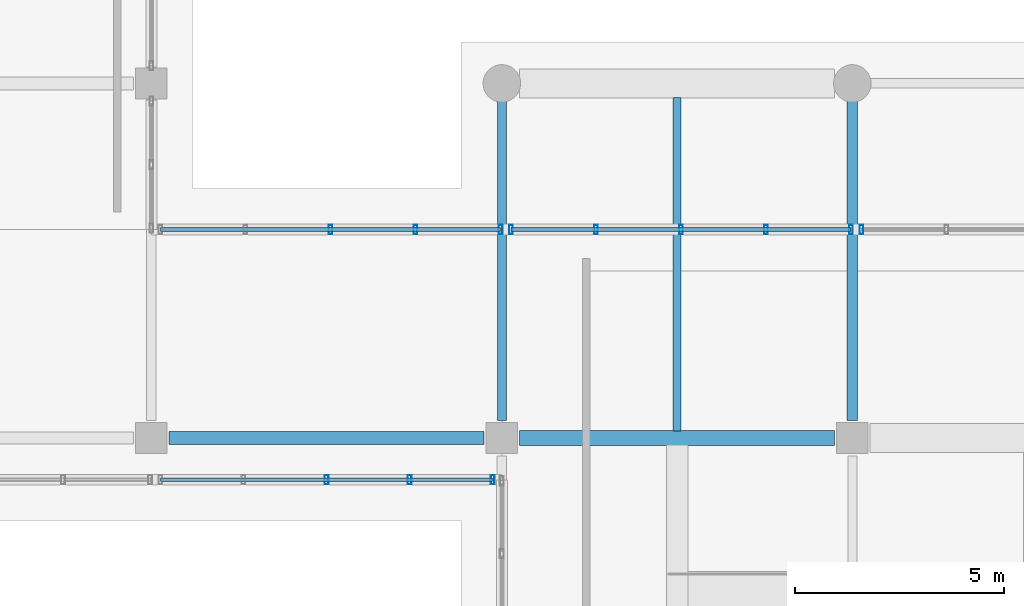
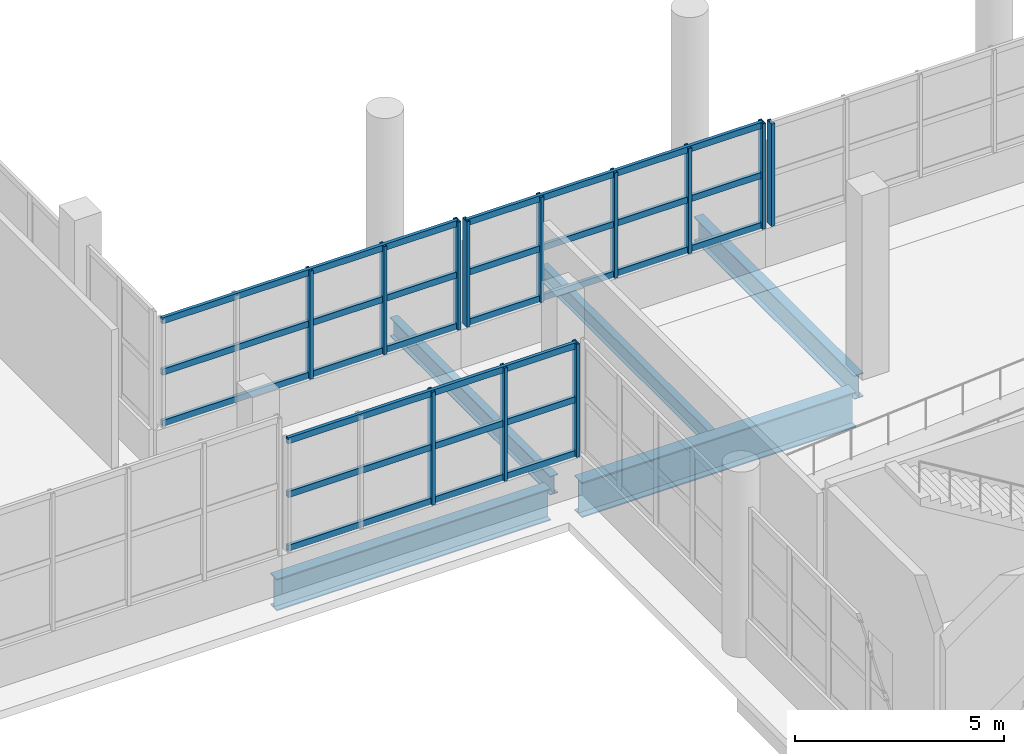
# One storey, part 45 of 107: 21 members, 5 beams, 4 elements without a shape of their own.
"""IFC4 building model written with IfcOpenShell, lengths in metres."""

from ifc_helpers import new_model, si_unit, direction, frame, origin, origin_2d, place, context, subcontext, project, spatial, hollow_rectangle, i_section, extrude, material, material_profile, profile_set, type_object, element, aggregate, save


model = new_model("IFC4")

# Units and contexts
model_context = context("Model", 3, precision=1e-05, world=origin(), true_north=direction((0.0, 1.0)))
body_context = subcontext(model_context, "Body", "Model", "MODEL_VIEW")
ifc_project = project(units=[si_unit("LENGTHUNIT", "METRE"), si_unit("AREAUNIT", "SQUARE_METRE"), si_unit("VOLUMEUNIT", "CUBIC_METRE"), si_unit("PLANEANGLEUNIT", "RADIAN"), si_unit("MASSUNIT", "GRAM", prefix="KILO")], contexts=[model_context])

# Site, building, storey
site_placement = place(None, origin())
site = spatial("IfcSite", under=ifc_project, at=site_placement, CompositionType="ELEMENT")
building_placement = place(site_placement, origin())
building = spatial("IfcBuilding", under=site, at=building_placement, Name="Solvento Point Concert Hall", CompositionType="ELEMENT")
storey_placement = place(building_placement, origin())
storey = spatial("IfcBuildingStorey", under=building, at=storey_placement, Name="L00", CompositionType="ELEMENT", Elevation=0.0)

# Beams
ifc_material_1 = material(Name="Structural Steel ASTM A992 Grade 50", Category="steel")
ifc_material_profile_1 = material_profile(ifc_material_1, i_section(OverallWidth=0.214111328125, OverallDepth=0.549072265625, WebThickness=0.0146484375, FlangeThickness=0.023681640625, at=origin_2d()), Name="W21X93")
ifc_profile_set_1 = profile_set([ifc_material_profile_1], Name="Structural Steel ASTM A992 Grade 50")
beam_type_1 = type_object("IfcBeamType", Name="Beam_W21X93", PredefinedType="BEAM", material=ifc_profile_set_1)
beam_1_placement = place(storey_placement, frame((150.0, 17.424072265625, -0.6884765625), z_axis=(0.0, 1.0, 0.0), x_axis=(-1.0, 0.0, 0.0)))
element("IfcBeam", 1, at=beam_1_placement, inside=storey, type_object=beam_type_1, Name="Primary girder B-48 L00", PredefinedType="BEAM", context=body_context, shape_type="SweptSolid", body=[
    extrude(i_section(OverallWidth=0.214111328125, OverallDepth=0.549072265625, WebThickness=0.0146484375, FlangeThickness=0.023681640625, at=origin_2d()), origin(), (0.0, 0.0, 1.0), 7.65185546875),
])
ifc_material_2 = material(Name="Structural Steel ASTM A992 Grade 50", Category="steel")
ifc_material_profile_2 = material_profile(ifc_material_2, i_section(OverallWidth=0.256103515625, OverallDepth=0.693115234375, WebThickness=0.014404296875, FlangeThickness=0.023681640625, at=origin_2d()), Name="W27X114")
ifc_profile_set_2 = profile_set([ifc_material_profile_2], Name="Structural Steel ASTM A992 Grade 50")
beam_type_2 = type_object("IfcBeamType", Name="Girder_W27X114", PredefinedType="USERDEFINED", material=ifc_profile_set_2)
beam_2_placement = place(storey_placement, frame((158.39990234375, 17.424072265625, -0.760498046875), z_axis=(0.0, 1.0, 0.0), x_axis=(-1.0, 0.0, 0.0)))
element("IfcBeam", 2, at=beam_2_placement, inside=storey, type_object=beam_type_2, Name="Primary girder B-23 L00", ObjectType="GIRDER", PredefinedType="USERDEFINED", context=body_context, shape_type="SweptSolid", body=[
    extrude(i_section(OverallWidth=0.256103515625, OverallDepth=0.693115234375, WebThickness=0.014404296875, FlangeThickness=0.023681640625, at=origin_2d()), origin(), (0.0, 0.0, 1.0), 7.65185546875),
])
ifc_material_3 = material(Name="Structural Steel ASTM A992 Grade 50", Category="steel")
ifc_material_profile_3 = material_profile(ifc_material_3, i_section(OverallWidth=0.3076171875, OverallDepth=0.927001953125, WebThickness=0.019287109375, FlangeThickness=0.031982421875, at=origin_2d()), Name="W36X194")
ifc_profile_set_3 = profile_set([ifc_material_profile_3], Name="Structural Steel ASTM A992 Grade 50")
beam_type_3 = type_object("IfcBeamType", Name="Girder_W36X194", PredefinedType="USERDEFINED", material=ifc_profile_set_3)
beam_3_placement = place(storey_placement, frame((142.02392578125, 17.0, -0.767578125), z_axis=(1.0, 0.0, 0.0), x_axis=(0.0, 1.0, 0.0)))
element("IfcBeam", 3, at=beam_3_placement, inside=storey, type_object=beam_type_3, Name="Primary girder B-61 L00", ObjectType="GIRDER", PredefinedType="USERDEFINED", context=body_context, shape_type="SweptSolid", body=[
    extrude(i_section(OverallWidth=0.3076171875, OverallDepth=0.927001953125, WebThickness=0.019287109375, FlangeThickness=0.031982421875, at=origin_2d()), origin(), (0.0, 0.0, 1.0), 7.552001953125),
])
ifc_material_4 = material(Name="Structural Steel ASTM A992 Grade 50", Category="steel")
ifc_material_profile_4 = material_profile(ifc_material_4, i_section(OverallWidth=0.361083984375, OverallDepth=1.02587890625, WebThickness=0.01904296875, FlangeThickness=0.0361328125, at=origin_2d()), Name="W40X249")
ifc_profile_set_4 = profile_set([ifc_material_profile_4], Name="Structural Steel ASTM A992 Grade 50")
beam_type_4 = type_object("IfcBeamType", Name="Girder_W40X249", PredefinedType="USERDEFINED", material=ifc_profile_set_4)
beam_4_placement = place(storey_placement, frame((150.424072265625, 17.0, -0.927001953125), z_axis=(1.0, 0.0, 0.0), x_axis=(0.0, 1.0, 0.0)))
element("IfcBeam", 4, at=beam_4_placement, inside=storey, type_object=beam_type_4, Name="Primary girder B-29 L00", ObjectType="GIRDER", PredefinedType="USERDEFINED", context=body_context, shape_type="SweptSolid", body=[
    extrude(i_section(OverallWidth=0.361083984375, OverallDepth=1.02587890625, WebThickness=0.01904296875, FlangeThickness=0.0361328125, at=origin_2d()), origin(), (0.0, 0.0, 1.0), 7.552001953125),
])
ifc_material_5 = material(Name="Structural Steel ASTM A992 Grade 50", Category="steel")
ifc_material_profile_5 = material_profile(ifc_material_5, i_section(OverallWidth=0.1904296875, OverallDepth=0.45703125, WebThickness=0.009033203125, FlangeThickness=0.014404296875, at=origin_2d()), Name="W18X50")
ifc_profile_set_5 = profile_set([ifc_material_profile_5], Name="Structural Steel ASTM A992 Grade 50")
beam_type_5 = type_object("IfcBeamType", Name="Joist_W18X50", PredefinedType="JOIST", material=ifc_profile_set_5)
beam_5_placement = place(storey_placement, frame((154.199951171875, 17.16552734375, -0.642578125), z_axis=(0.0, 1.0, 0.0), x_axis=(-1.0, 0.0, 0.0)))
element("IfcBeam", 5, at=beam_5_placement, inside=storey, type_object=beam_type_5, Name="Secondary floor joist B-66 L00", PredefinedType="JOIST", context=body_context, shape_type="SweptSolid", body=[
    extrude(i_section(OverallWidth=0.1904296875, OverallDepth=0.45703125, WebThickness=0.009033203125, FlangeThickness=0.014404296875, at=origin_2d()), origin(), (0.0, 0.0, 1.0), 7.99951171875),
])

# Curtain wall, members
ifc_material_6 = material(Name="Anodized Bronze Aluminium", Category="aluminium")
curtain_wall_type = type_object("IfcCurtainWallType", Name="CurtainWall_CafeVeranda", PredefinedType="USERDEFINED", material=ifc_material_6)
curtain_wall_1_placement = place(storey_placement, origin())
curtain_wall_1 = element("IfcCurtainWall", 6, at=curtain_wall_1_placement, inside=storey, type_object=curtain_wall_type, Name="Unitised curtain wall CW-42 UCW-L00-038", ObjectType="UNITISED CURTAIN WALL", PredefinedType="USERDEFINED")
ifc_material_7 = material(Name="Anodized Bronze Aluminium", Category="aluminium")
ifc_material_profile_6 = material_profile(ifc_material_7, hollow_rectangle(XDim=0.090087890625, YDim=0.219970703125, WallThickness=0.00439453125, at=origin_2d()), Name="CW-MUL-90X220")
ifc_profile_set_6 = profile_set([ifc_material_profile_6], Name="Anodized Bronze Aluminium")
member_type_1 = type_object("IfcMemberType", Name="Mullion_90x220", PredefinedType="MULLION", material=ifc_profile_set_6)
member_1_placement = place(storey_placement, frame((145.89501953125, 22.0, 1.1201171875), z_axis=(0.0, 0.0, 1.0), x_axis=(1.0, 0.0, 0.0)))
member_1 = element("IfcMember", 7, at=member_1_placement, type_object=member_type_1, Name="Curtain wall mullion ML-02", PredefinedType="MULLION", context=body_context, shape_type="SweptSolid", body=[
    extrude(hollow_rectangle(XDim=0.090087890625, YDim=0.219970703125, WallThickness=0.00439453125, at=origin_2d()), origin(), (0.0, 0.0, 1.0), 3.15087890625),
])
member_2_placement = place(storey_placement, frame((147.9326171875, 22.0, 1.1201171875), z_axis=(0.0, 0.0, 1.0), x_axis=(1.0, 0.0, 0.0)))
member_2 = element("IfcMember", 8, at=member_2_placement, type_object=member_type_1, Name="Curtain wall mullion ML-02", PredefinedType="MULLION", context=body_context, shape_type="SweptSolid", body=[
    extrude(hollow_rectangle(XDim=0.090087890625, YDim=0.219970703125, WallThickness=0.00439453125, at=origin_2d()), origin(), (0.0, 0.0, 1.0), 3.15087890625),
])
member_3_placement = place(storey_placement, frame((149.969970703125, 22.0, 1.1201171875), z_axis=(0.0, 0.0, 1.0), x_axis=(1.0, 0.0, 0.0)))
member_3 = element("IfcMember", 9, at=member_3_placement, type_object=member_type_1, Name="Curtain wall mullion ML-02", PredefinedType="MULLION", context=body_context, shape_type="SweptSolid", body=[
    extrude(hollow_rectangle(XDim=0.090087890625, YDim=0.219970703125, WallThickness=0.00439453125, at=origin_2d()), origin(), (0.0, 0.0, 1.0), 3.15087890625),
])

curtain_wall_2_placement = place(storey_placement, origin())
curtain_wall_2 = element("IfcCurtainWall", 10, at=curtain_wall_2_placement, inside=storey, type_object=curtain_wall_type, Name="Unitised curtain wall CW-42 UCW-L00-039", ObjectType="UNITISED CURTAIN WALL", PredefinedType="USERDEFINED")
member_4_placement = place(storey_placement, frame((150.219970703125, 22.0, 1.1201171875), z_axis=(0.0, 0.0, 1.0), x_axis=(1.0, 0.0, 0.0)))
member_4 = element("IfcMember", 11, at=member_4_placement, type_object=member_type_1, Name="Curtain wall mullion ML-02", PredefinedType="MULLION", context=body_context, shape_type="SweptSolid", body=[
    extrude(hollow_rectangle(XDim=0.090087890625, YDim=0.219970703125, WallThickness=0.00439453125, at=origin_2d()), origin(), (0.0, 0.0, 1.0), 3.073974609375),
])
member_5_placement = place(storey_placement, frame((152.257568359375, 22.0, 1.1201171875), z_axis=(0.0, 0.0, 1.0), x_axis=(1.0, 0.0, 0.0)))
member_5 = element("IfcMember", 12, at=member_5_placement, type_object=member_type_1, Name="Curtain wall mullion ML-02", PredefinedType="MULLION", context=body_context, shape_type="SweptSolid", body=[
    extrude(hollow_rectangle(XDim=0.090087890625, YDim=0.219970703125, WallThickness=0.00439453125, at=origin_2d()), origin(), (0.0, 0.0, 1.0), 3.073974609375),
])
member_6_placement = place(storey_placement, frame((154.294921875, 22.0, 1.1201171875), z_axis=(0.0, 0.0, 1.0), x_axis=(1.0, 0.0, 0.0)))
member_6 = element("IfcMember", 13, at=member_6_placement, type_object=member_type_1, Name="Curtain wall mullion ML-02", PredefinedType="MULLION", context=body_context, shape_type="SweptSolid", body=[
    extrude(hollow_rectangle(XDim=0.090087890625, YDim=0.219970703125, WallThickness=0.00439453125, at=origin_2d()), origin(), (0.0, 0.0, 1.0), 3.073974609375),
])
member_7_placement = place(storey_placement, frame((156.33251953125, 22.0, 1.1201171875), z_axis=(0.0, 0.0, 1.0), x_axis=(1.0, 0.0, 0.0)))
member_7 = element("IfcMember", 14, at=member_7_placement, type_object=member_type_1, Name="Curtain wall mullion ML-02", PredefinedType="MULLION", context=body_context, shape_type="SweptSolid", body=[
    extrude(hollow_rectangle(XDim=0.090087890625, YDim=0.219970703125, WallThickness=0.00439453125, at=origin_2d()), origin(), (0.0, 0.0, 1.0), 3.073974609375),
])
member_8_placement = place(storey_placement, frame((158.3701171875, 22.0, 1.1201171875), z_axis=(0.0, 0.0, 1.0), x_axis=(1.0, 0.0, 0.0)))
member_8 = element("IfcMember", 15, at=member_8_placement, type_object=member_type_1, Name="Curtain wall mullion ML-02", PredefinedType="MULLION", context=body_context, shape_type="SweptSolid", body=[
    extrude(hollow_rectangle(XDim=0.090087890625, YDim=0.219970703125, WallThickness=0.00439453125, at=origin_2d()), origin(), (0.0, 0.0, 1.0), 3.073974609375),
])

# Curtain wall, member
curtain_wall_3_placement = place(storey_placement, origin())
curtain_wall_3 = element("IfcCurtainWall", 16, at=curtain_wall_3_placement, inside=storey, type_object=curtain_wall_type, Name="Unitised curtain wall CW-42 UCW-L00-040", ObjectType="UNITISED CURTAIN WALL", PredefinedType="USERDEFINED")
member_9_placement = place(storey_placement, frame((158.6201171875, 22.0, 1.1201171875), z_axis=(0.0, 0.0, 1.0), x_axis=(1.0, 0.0, 0.0)))
member_9 = element("IfcMember", 17, at=member_9_placement, type_object=member_type_1, Name="Curtain wall mullion ML-02", PredefinedType="MULLION", context=body_context, shape_type="SweptSolid", body=[
    extrude(hollow_rectangle(XDim=0.090087890625, YDim=0.219970703125, WallThickness=0.00439453125, at=origin_2d()), origin(), (0.0, 0.0, 1.0), 2.98486328125),
])
aggregate(curtain_wall_3, [member_9])

# Curtain wall, members
curtain_wall_4_placement = place(storey_placement, origin())
curtain_wall_4 = element("IfcCurtainWall", 18, at=curtain_wall_4_placement, inside=storey, type_object=curtain_wall_type, Name="Unitised curtain wall CW-42 UCW-L00-055", ObjectType="UNITISED CURTAIN WALL", PredefinedType="USERDEFINED")
member_10_placement = place(storey_placement, frame((145.800048828125, 16.0, 1.1201171875), z_axis=(0.0, 0.0, 1.0), x_axis=(1.0, 0.0, 0.0)))
member_10 = element("IfcMember", 19, at=member_10_placement, type_object=member_type_1, Name="Curtain wall mullion ML-02", PredefinedType="MULLION", context=body_context, shape_type="SweptSolid", body=[
    extrude(hollow_rectangle(XDim=0.090087890625, YDim=0.219970703125, WallThickness=0.00439453125, at=origin_2d()), origin(), (0.0, 0.0, 1.0), 3.294921875),
])
member_11_placement = place(storey_placement, frame((147.7900390625, 16.0, 1.1201171875), z_axis=(0.0, 0.0, 1.0), x_axis=(1.0, 0.0, 0.0)))
member_11 = element("IfcMember", 20, at=member_11_placement, type_object=member_type_1, Name="Curtain wall mullion ML-02", PredefinedType="MULLION", context=body_context, shape_type="SweptSolid", body=[
    extrude(hollow_rectangle(XDim=0.090087890625, YDim=0.219970703125, WallThickness=0.00439453125, at=origin_2d()), origin(), (0.0, 0.0, 1.0), 3.294921875),
])
member_12_placement = place(storey_placement, frame((149.780029296875, 16.0, 1.1201171875), z_axis=(0.0, 0.0, 1.0), x_axis=(1.0, 0.0, 0.0)))
member_12 = element("IfcMember", 21, at=member_12_placement, type_object=member_type_1, Name="Curtain wall mullion ML-02", PredefinedType="MULLION", context=body_context, shape_type="SweptSolid", body=[
    extrude(hollow_rectangle(XDim=0.090087890625, YDim=0.219970703125, WallThickness=0.00439453125, at=origin_2d()), origin(), (0.0, 0.0, 1.0), 3.294921875),
])

# Member
ifc_material_8 = material(Name="Anodized Bronze Aluminium", Category="aluminium")
ifc_material_profile_7 = material_profile(ifc_material_8, hollow_rectangle(XDim=0.090087890625, YDim=0.179931640625, WallThickness=0.00439453125, at=origin_2d()), Name="CW-TRN-90X180")
ifc_profile_set_7 = profile_set([ifc_material_profile_7], Name="Anodized Bronze Aluminium")
member_type_2 = type_object("IfcMemberType", Name="Transom_90x180", PredefinedType="USERDEFINED", material=ifc_profile_set_7)
member_13_placement = place(storey_placement, frame((141.820068359375, 22.0, 1.199951171875), z_axis=(1.0, 0.0, 0.0), x_axis=(0.0, 1.0, 0.0)))
member_13 = element("IfcMember", 22, at=member_13_placement, type_object=member_type_2, Name="Curtain wall transom TR-02", ObjectType="TRANSOM", PredefinedType="USERDEFINED", context=body_context, shape_type="SweptSolid", body=[
    extrude(hollow_rectangle(XDim=0.090087890625, YDim=0.179931640625, WallThickness=0.00439453125, at=origin_2d()), origin(), (0.0, 0.0, 1.0), 8.14990234375),
])

member_14_placement = place(storey_placement, frame((141.820068359375, 22.0, 2.695556640625), z_axis=(1.0, 0.0, 0.0), x_axis=(0.0, 1.0, 0.0)))
member_14 = element("IfcMember", 23, at=member_14_placement, type_object=member_type_2, Name="Curtain wall transom TR-02", ObjectType="TRANSOM", PredefinedType="USERDEFINED", context=body_context, shape_type="SweptSolid", body=[
    extrude(hollow_rectangle(XDim=0.090087890625, YDim=0.179931640625, WallThickness=0.00439453125, at=origin_2d()), origin(), (0.0, 0.0, 1.0), 8.14990234375),
])

member_15_placement = place(storey_placement, frame((141.820068359375, 22.0, 4.19091796875), z_axis=(1.0, 0.0, 0.0), x_axis=(0.0, 1.0, 0.0)))
member_15 = element("IfcMember", 24, at=member_15_placement, type_object=member_type_2, Name="Curtain wall transom TR-02", ObjectType="TRANSOM", PredefinedType="USERDEFINED", context=body_context, shape_type="SweptSolid", body=[
    extrude(hollow_rectangle(XDim=0.090087890625, YDim=0.179931640625, WallThickness=0.00439453125, at=origin_2d()), origin(), (0.0, 0.0, 1.0), 8.14990234375),
])

aggregate(curtain_wall_1, [member_1, member_2, member_3, member_13, member_14, member_15])

member_16_placement = place(storey_placement, frame((150.219970703125, 22.0, 1.199951171875), z_axis=(1.0, 0.0, 0.0), x_axis=(0.0, 1.0, 0.0)))
member_16 = element("IfcMember", 25, at=member_16_placement, type_object=member_type_2, Name="Curtain wall transom TR-02", ObjectType="TRANSOM", PredefinedType="USERDEFINED", context=body_context, shape_type="SweptSolid", body=[
    extrude(hollow_rectangle(XDim=0.090087890625, YDim=0.179931640625, WallThickness=0.00439453125, at=origin_2d()), origin(), (0.0, 0.0, 1.0), 8.150146484375),
])

member_17_placement = place(storey_placement, frame((150.219970703125, 22.0, 2.656982421875), z_axis=(1.0, 0.0, 0.0), x_axis=(0.0, 1.0, 0.0)))
member_17 = element("IfcMember", 26, at=member_17_placement, type_object=member_type_2, Name="Curtain wall transom TR-02", ObjectType="TRANSOM", PredefinedType="USERDEFINED", context=body_context, shape_type="SweptSolid", body=[
    extrude(hollow_rectangle(XDim=0.090087890625, YDim=0.179931640625, WallThickness=0.00439453125, at=origin_2d()), origin(), (0.0, 0.0, 1.0), 8.150146484375),
])

member_18_placement = place(storey_placement, frame((150.219970703125, 22.0, 4.114013671875), z_axis=(1.0, 0.0, 0.0), x_axis=(0.0, 1.0, 0.0)))
member_18 = element("IfcMember", 27, at=member_18_placement, type_object=member_type_2, Name="Curtain wall transom TR-02", ObjectType="TRANSOM", PredefinedType="USERDEFINED", context=body_context, shape_type="SweptSolid", body=[
    extrude(hollow_rectangle(XDim=0.090087890625, YDim=0.179931640625, WallThickness=0.00439453125, at=origin_2d()), origin(), (0.0, 0.0, 1.0), 8.150146484375),
])

aggregate(curtain_wall_2, [member_4, member_5, member_6, member_7, member_8, member_16, member_17, member_18])

member_19_placement = place(storey_placement, frame((141.820068359375, 16.0, 1.199951171875), z_axis=(1.0, 0.0, 0.0), x_axis=(0.0, 1.0, 0.0)))
member_19 = element("IfcMember", 28, at=member_19_placement, type_object=member_type_2, Name="Curtain wall transom TR-02", ObjectType="TRANSOM", PredefinedType="USERDEFINED", context=body_context, shape_type="SweptSolid", body=[
    extrude(hollow_rectangle(XDim=0.090087890625, YDim=0.179931640625, WallThickness=0.00439453125, at=origin_2d()), origin(), (0.0, 0.0, 1.0), 7.9599609375),
])

member_20_placement = place(storey_placement, frame((141.820068359375, 16.0, 2.767578125), z_axis=(1.0, 0.0, 0.0), x_axis=(0.0, 1.0, 0.0)))
member_20 = element("IfcMember", 29, at=member_20_placement, type_object=member_type_2, Name="Curtain wall transom TR-02", ObjectType="TRANSOM", PredefinedType="USERDEFINED", context=body_context, shape_type="SweptSolid", body=[
    extrude(hollow_rectangle(XDim=0.090087890625, YDim=0.179931640625, WallThickness=0.00439453125, at=origin_2d()), origin(), (0.0, 0.0, 1.0), 7.9599609375),
])

member_21_placement = place(storey_placement, frame((141.820068359375, 16.0, 4.3349609375), z_axis=(1.0, 0.0, 0.0), x_axis=(0.0, 1.0, 0.0)))
member_21 = element("IfcMember", 30, at=member_21_placement, type_object=member_type_2, Name="Curtain wall transom TR-02", ObjectType="TRANSOM", PredefinedType="USERDEFINED", context=body_context, shape_type="SweptSolid", body=[
    extrude(hollow_rectangle(XDim=0.090087890625, YDim=0.179931640625, WallThickness=0.00439453125, at=origin_2d()), origin(), (0.0, 0.0, 1.0), 7.9599609375),
])

aggregate(curtain_wall_4, [member_10, member_11, member_12, member_19, member_20, member_21])

save(model, "model.ifc")
